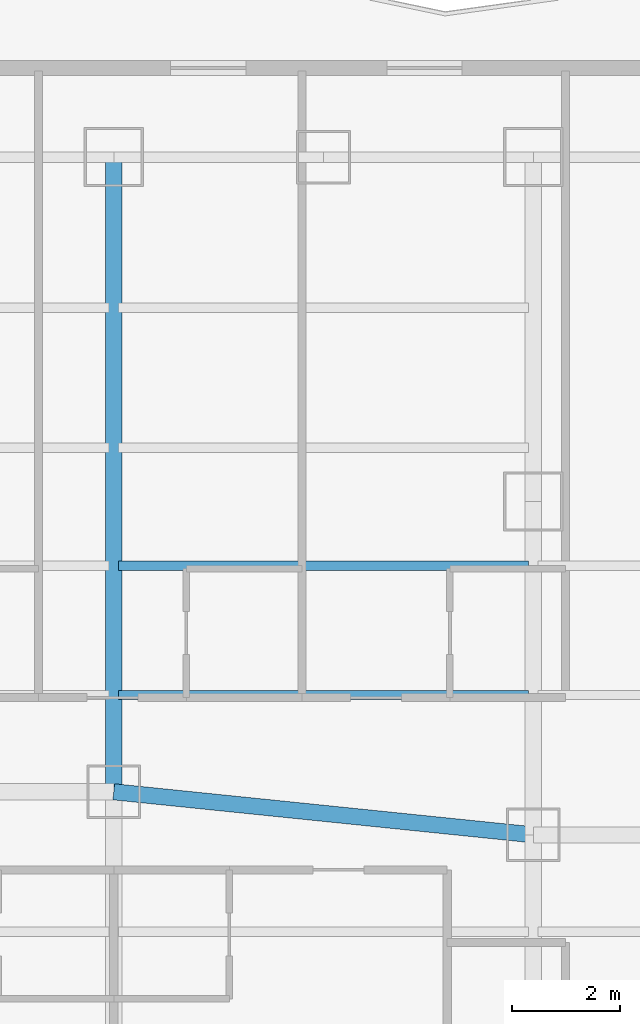
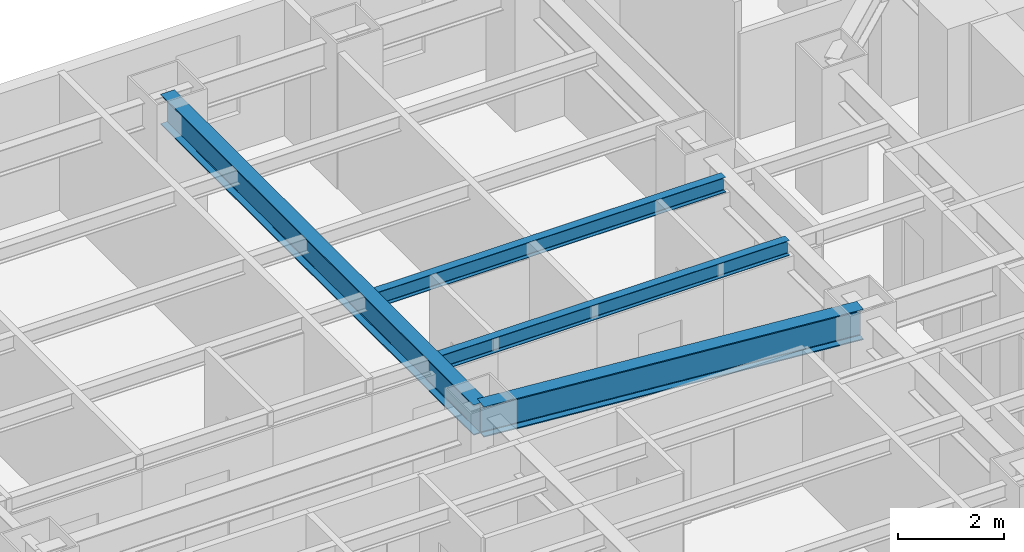
# One storey, part 15 of 38: 4 beams.
"""IFC4 building model written with IfcOpenShell, lengths in metres."""

from ifc_helpers import new_model, si_unit, direction, frame, origin, origin_2d, place, context, subcontext, project, spatial, i_section, extrude, material, material_profile, profile_set, type_object, element, save


model = new_model("IFC4")

# Units and contexts
model_context = context("Model", 3, precision=1e-05, world=origin(), true_north=direction((0.0, 1.0)))
body_context = subcontext(model_context, "Body", "Model", "MODEL_VIEW")
ifc_project = project(units=[si_unit("LENGTHUNIT", "METRE"), si_unit("AREAUNIT", "SQUARE_METRE"), si_unit("VOLUMEUNIT", "CUBIC_METRE"), si_unit("PLANEANGLEUNIT", "RADIAN"), si_unit("MASSUNIT", "GRAM", prefix="KILO")], contexts=[model_context])

# Site, building, storey
site_placement = place(None, origin())
site = spatial("IfcSite", under=ifc_project, at=site_placement, CompositionType="ELEMENT")
building_placement = place(site_placement, origin())
building = spatial("IfcBuilding", under=site, at=building_placement, Name="Hatsunagi Terrace Concourse", CompositionType="ELEMENT")
storey_placement = place(building_placement, frame((0.0, 0.0, 60.050048828125)))
storey = spatial("IfcBuildingStorey", under=building, at=storey_placement, Name="L15", CompositionType="ELEMENT", Elevation=60.050048828125)

# Beams
ifc_material_1 = material(Name="Steel SN490B", Category="steel")
ifc_material_profile_1 = material_profile(ifc_material_1, i_section(OverallWidth=0.300048828125, OverallDepth=0.699951171875, WebThickness=0.012939453125, FlangeThickness=0.02392578125, FilletRadius=0.02197265625, at=origin_2d()), Name="H-700x300x13x24")
ifc_profile_set_1 = profile_set([ifc_material_profile_1], Name="Steel SN490B")
beam_type_1 = type_object("IfcBeamType", Name="HotelFloorGirder_H_700x300", PredefinedType="BEAM", material=ifc_profile_set_1)
beam_1_placement = place(storey_placement, frame((11.39990234375, 36.800048828125, 2.780029296875), z_axis=(0.0, 1.0, 0.0), x_axis=(-1.0, 0.0, 0.0)))
element("IfcBeam", 1, at=beam_1_placement, inside=storey, type_object=beam_type_1, Name="Beam G-04 BM-L15-NS-11-36", PredefinedType="BEAM", context=body_context, shape_type="SweptSolid", body=[
    extrude(i_section(OverallWidth=0.300048828125, OverallDepth=0.699951171875, WebThickness=0.012939453125, FlangeThickness=0.02392578125, FilletRadius=0.02197265625, at=origin_2d()), origin(), (0.0, 0.0, 1.0), 11.800048828125),
])
beam_2_placement = place(storey_placement, frame((11.39990234375, 36.800048828125, 2.780029296875), z_axis=(0.994780871372, -0.102034395927, 0.0), x_axis=(0.102034395927, 0.994780871372, 0.0)))
element("IfcBeam", 2, at=beam_2_placement, inside=storey, type_object=beam_type_1, Name="Beam G-04 BM-L15-EW-2", PredefinedType="BEAM", context=body_context, shape_type="SweptSolid", body=[
    extrude(i_section(OverallWidth=0.300048828125, OverallDepth=0.699951171875, WebThickness=0.012939453125, FlangeThickness=0.02392578125, FilletRadius=0.02197265625, at=origin_2d()), origin(), (0.0, 0.0, 1.0), 7.841064453125),
])
ifc_material_2 = material(Name="Steel SN490B", Category="steel")
ifc_material_profile_2 = material_profile(ifc_material_2, i_section(OverallWidth=0.175048828125, OverallDepth=0.35009765625, WebThickness=0.007080078125, FlangeThickness=0.010986328125, FilletRadius=0.012939453125, at=origin_2d()), Name="H-350x175x7x11")
ifc_profile_set_2 = profile_set([ifc_material_profile_2], Name="Steel SN490B")
beam_type_2 = type_object("IfcBeamType", Name="HotelJoist_H_350x175", PredefinedType="JOIST", material=ifc_profile_set_2)
for number, where, z_axis, x_axis, name in (
    (3, (11.485107421875, 38.60009765625, 2.954833984375), (1.0, 0.0, 0.0), (0.0, 1.0, 0.0), "Beam J-02 J-L15-W-11-386"),
    (4, (11.485107421875, 41.0, 2.954833984375), (1.0, 0.0, 0.0), (0.0, 1.0, 0.0), "Beam J-02 J-L15-W-11-410"),
):
    element("IfcBeam", number, at=place(storey_placement, frame(where, z_axis=z_axis, x_axis=x_axis)), inside=storey, type_object=beam_type_2, Name=name, PredefinedType="JOIST", context=body_context, shape_type="SweptSolid", body=[
        extrude(i_section(OverallWidth=0.175048828125, OverallDepth=0.35009765625, WebThickness=0.007080078125, FlangeThickness=0.010986328125, FilletRadius=0.012939453125, at=origin_2d()), origin(), (0.0, 0.0, 1.0), 7.6298828125),
    ])

save(model, "model.ifc")
